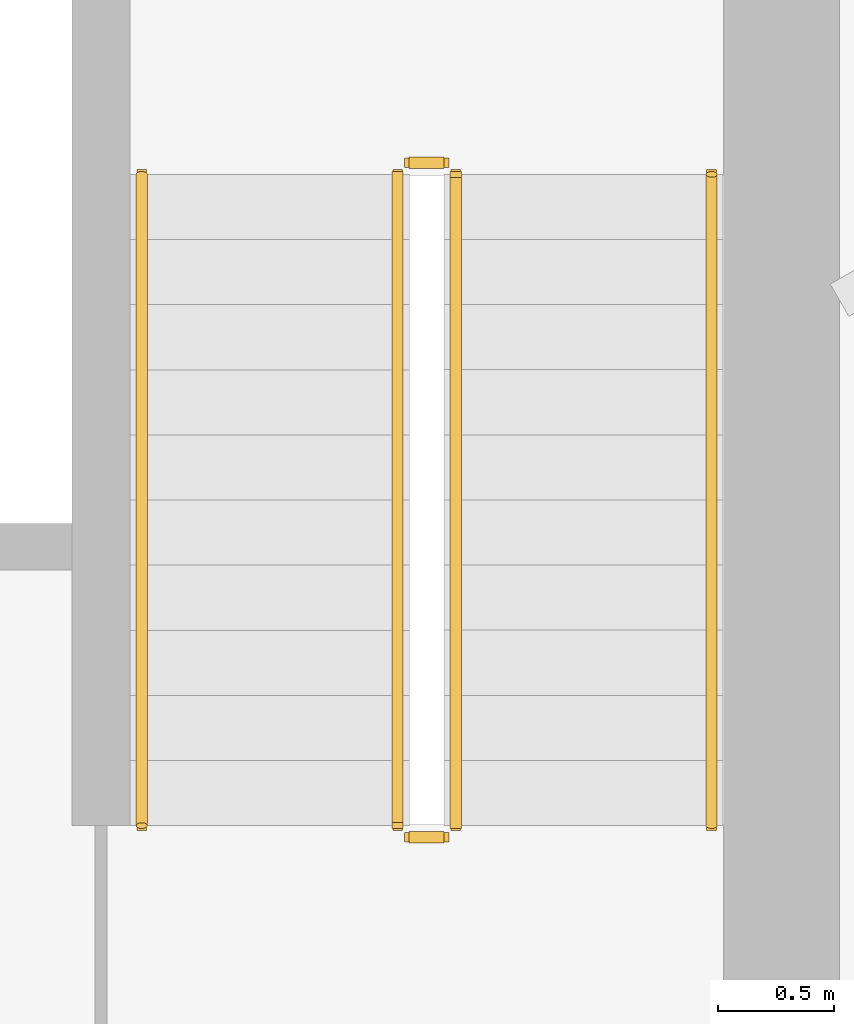
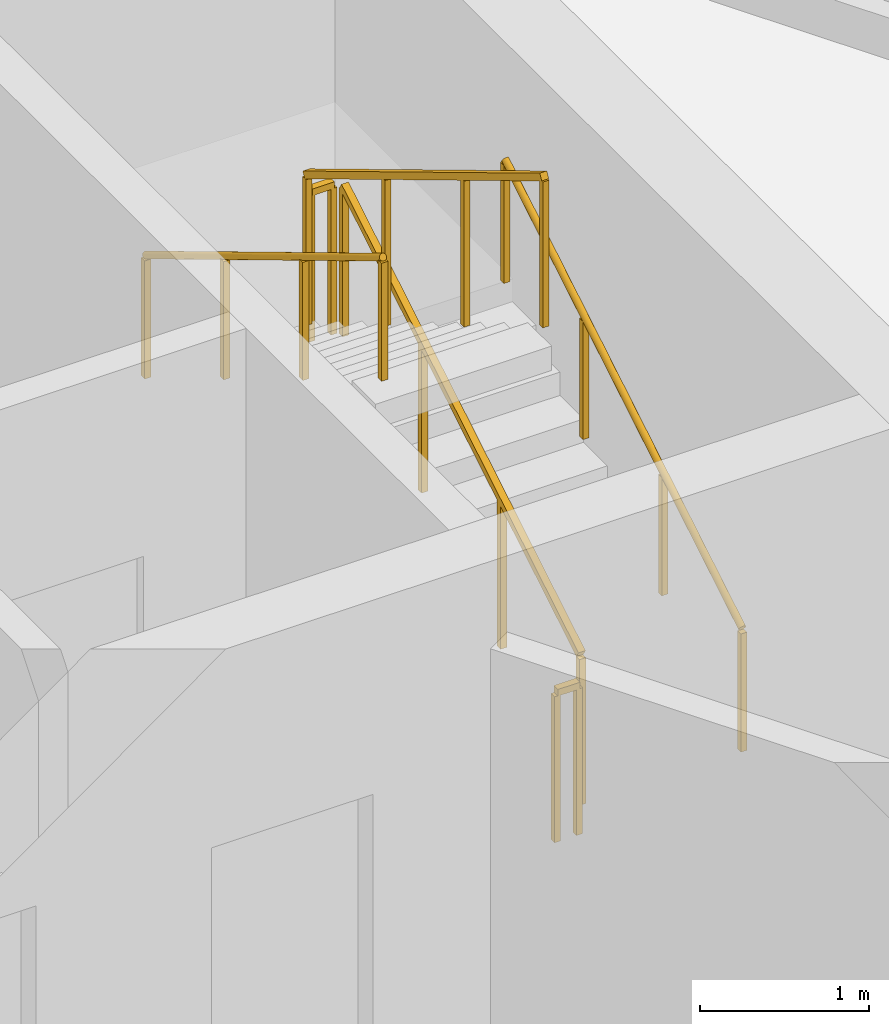
# One storey, part 13 of 13: 6 railings.
"""IFC4 building model written with IfcOpenShell, lengths in metres."""

from ifc_helpers import new_model, si_unit, direction, frame, origin, origin_2d, place, context, subcontext, project, spatial, rectangle, circle, extrude, material, type_object, element, save


model = new_model("IFC4")

# Units and contexts
model_context = context("Model", 3, precision=1e-05, world=origin(), true_north=direction((0.0, 1.0)))
body_context = subcontext(model_context, "Body", "Model", "MODEL_VIEW")
ifc_project = project(units=[si_unit("LENGTHUNIT", "METRE"), si_unit("AREAUNIT", "SQUARE_METRE"), si_unit("VOLUMEUNIT", "CUBIC_METRE"), si_unit("PLANEANGLEUNIT", "RADIAN"), si_unit("MASSUNIT", "GRAM", prefix="KILO")], contexts=[model_context])

# Site, building, storey
site_placement = place(None, origin())
site = spatial("IfcSite", under=ifc_project, at=site_placement, CompositionType="ELEMENT")
building_placement = place(site_placement, origin())
building = spatial("IfcBuilding", under=site, at=building_placement, Name="Apuvela Tower Hotel", CompositionType="ELEMENT")
storey_placement = place(building_placement, frame((0.0, 0.0, 65.0)))
storey = spatial("IfcBuildingStorey", under=building, at=storey_placement, Name="L13", CompositionType="ELEMENT", Elevation=65.0)

# Railings
ifc_material_1 = material(Name="Steel S275 balustrade", Category="steel")
railing_type_1 = type_object("IfcRailingType", Name="COR-GUARD-1100", PredefinedType="GUARDRAIL", material=ifc_material_1)
railing_1_placement = place(storey_placement, frame((3.85009765625, 14.60009765625, 0.168212890625)))
element("IfcRailing", 1, at=railing_1_placement, inside=storey, type_object=railing_type_1, Name="L13 ST1 stair guard 1", PredefinedType="GUARDRAIL", context=body_context, shape_type="SweptSolid", body=[
    extrude(rectangle(XDim=0.048095703125, YDim=0.048095703125, at=origin_2d()), frame((0.0, 0.0, 1.076171875), z_axis=(0.0, 0.857222391501, 0.514946377315), x_axis=(-1.0, 0.0, 0.0)), (0.0, 0.0, 1.0), 3.26611328125),
    extrude(rectangle(XDim=0.0419921875, YDim=0.0419921875, at=origin_2d()), origin(), (0.0, 0.0, 1.0), 1.052001953125),
    extrude(rectangle(XDim=0.0419921875, YDim=0.0419921875, at=origin_2d()), frame((0.0, 0.933349609375, 0.560546875)), (0.0, 0.0, 1.0), 1.052001953125),
    extrude(rectangle(XDim=0.0419921875, YDim=0.0419921875, at=origin_2d()), frame((0.0, 1.866455078125, 1.121337890625)), (0.0, 0.0, 1.0), 1.052001953125),
    extrude(rectangle(XDim=0.0419921875, YDim=0.0419921875, at=origin_2d()), frame((0.0, 2.7998046875, 1.681884765625)), (0.0, 0.0, 1.0), 1.052001953125),
])
railing_2_placement = place(storey_placement, frame((3.800048828125, 17.449951171875, 1.85009765625)))
element("IfcRailing", 2, at=railing_2_placement, inside=storey, type_object=railing_type_1, Name="L13 ST1 stair guard 2", PredefinedType="GUARDRAIL", context=body_context, shape_type="SweptSolid", body=[
    extrude(rectangle(XDim=0.048095703125, YDim=0.048095703125, at=origin_2d()), frame((0.0, 0.0, 1.076171875), z_axis=(-1.0, 0.0, 0.0), x_axis=(0.0, -1.0, 0.0)), (0.0, 0.0, 1.0), 0.150146484375),
    extrude(rectangle(XDim=0.0419921875, YDim=0.0419921875, at=origin_2d()), origin(), (0.0, 0.0, 1.0), 1.052001953125),
    extrude(rectangle(XDim=0.0419921875, YDim=0.0419921875, at=origin_2d()), frame((-0.150146484375, 0.0, 0.0)), (0.0, 0.0, 1.0), 1.052001953125),
])
railing_3_placement = place(storey_placement, frame((3.60009765625, 17.39990234375, 2.01806640625)))
element("IfcRailing", 3, at=railing_3_placement, inside=storey, type_object=railing_type_1, Name="L13 ST1 stair guard 3", PredefinedType="GUARDRAIL", context=body_context, shape_type="SweptSolid", body=[
    extrude(rectangle(XDim=0.048095703125, YDim=0.048095703125, at=origin_2d()), frame((0.0, 0.0, 1.076171875), z_axis=(0.0, -0.857222391501, 0.514946377315), x_axis=(1.0, 0.0, 0.0)), (0.0, 0.0, 1.0), 3.26611328125),
    extrude(rectangle(XDim=0.0419921875, YDim=0.0419921875, at=origin_2d()), origin(), (0.0, 0.0, 1.0), 1.052001953125),
    extrude(rectangle(XDim=0.0419921875, YDim=0.0419921875, at=origin_2d()), frame((0.0, -0.933349609375, 0.560546875)), (0.0, 0.0, 1.0), 1.052001953125),
    extrude(rectangle(XDim=0.0419921875, YDim=0.0419921875, at=origin_2d()), frame((0.0, -1.866455078125, 1.121337890625)), (0.0, 0.0, 1.0), 1.052001953125),
    extrude(rectangle(XDim=0.0419921875, YDim=0.0419921875, at=origin_2d()), frame((0.0, -2.7998046875, 1.681884765625)), (0.0, 0.0, 1.0), 1.052001953125),
])
railing_4_placement = place(storey_placement, frame((3.800048828125, 14.550048828125, 0.0)))
element("IfcRailing", 4, at=railing_4_placement, inside=storey, type_object=railing_type_1, Name="L13 ST1 stair guard 4", PredefinedType="GUARDRAIL", context=body_context, shape_type="SweptSolid", body=[
    extrude(rectangle(XDim=0.048095703125, YDim=0.048095703125, at=origin_2d()), frame((0.0, 0.0, 1.076171875), z_axis=(-1.0, 0.0, 0.0), x_axis=(0.0, -1.0, 0.0)), (0.0, 0.0, 1.0), 0.150146484375),
    extrude(rectangle(XDim=0.0419921875, YDim=0.0419921875, at=origin_2d()), origin(), (0.0, 0.0, 1.0), 1.052001953125),
    extrude(rectangle(XDim=0.0419921875, YDim=0.0419921875, at=origin_2d()), frame((-0.150146484375, 0.0, 0.0)), (0.0, 0.0, 1.0), 1.052001953125),
])
ifc_material_2 = material(Name="Stainless steel 316 handrail", Category="steel")
railing_type_2 = type_object("IfcRailingType", Name="COR-HANDRAIL-900", PredefinedType="HANDRAIL", material=ifc_material_2)
railing_5_placement = place(storey_placement, frame((4.949951171875, 14.60009765625, 0.168212890625)))
element("IfcRailing", 5, at=railing_5_placement, inside=storey, type_object=railing_type_2, Name="L13 ST1 stair handrail 1", PredefinedType="HANDRAIL", context=body_context, shape_type="SweptSolid", body=[
    extrude(circle(Radius=0.02392578125, at=origin_2d()), frame((0.0, 0.0, 0.8759765625), z_axis=(0.0, 0.857222391501, 0.514946377315), x_axis=(-1.0, 0.0, 0.0)), (0.0, 0.0, 1.0), 3.26611328125),
    extrude(rectangle(XDim=0.0419921875, YDim=0.0419921875, at=origin_2d()), origin(), (0.0, 0.0, 1.0), 0.851806640625),
    extrude(rectangle(XDim=0.0419921875, YDim=0.0419921875, at=origin_2d()), frame((0.0, 0.933349609375, 0.560546875)), (0.0, 0.0, 1.0), 0.851806640625),
    extrude(rectangle(XDim=0.0419921875, YDim=0.0419921875, at=origin_2d()), frame((0.0, 1.866455078125, 1.121337890625)), (0.0, 0.0, 1.0), 0.851806640625),
    extrude(rectangle(XDim=0.0419921875, YDim=0.0419921875, at=origin_2d()), frame((0.0, 2.7998046875, 1.681884765625)), (0.0, 0.0, 1.0), 0.851806640625),
])
railing_6_placement = place(storey_placement, frame((2.5, 17.39990234375, 2.01806640625)))
element("IfcRailing", 6, at=railing_6_placement, inside=storey, type_object=railing_type_2, Name="L13 ST1 stair handrail 2", PredefinedType="HANDRAIL", context=body_context, shape_type="SweptSolid", body=[
    extrude(circle(Radius=0.02392578125, at=origin_2d()), frame((0.0, 0.0, 0.8759765625), z_axis=(0.0, -0.857222391501, 0.514946377315), x_axis=(1.0, 0.0, 0.0)), (0.0, 0.0, 1.0), 3.26611328125),
    extrude(rectangle(XDim=0.0419921875, YDim=0.0419921875, at=origin_2d()), origin(), (0.0, 0.0, 1.0), 0.851806640625),
    extrude(rectangle(XDim=0.0419921875, YDim=0.0419921875, at=origin_2d()), frame((0.0, -0.933349609375, 0.560546875)), (0.0, 0.0, 1.0), 0.851806640625),
    extrude(rectangle(XDim=0.0419921875, YDim=0.0419921875, at=origin_2d()), frame((0.0, -1.866455078125, 1.121337890625)), (0.0, 0.0, 1.0), 0.851806640625),
    extrude(rectangle(XDim=0.0419921875, YDim=0.0419921875, at=origin_2d()), frame((0.0, -2.7998046875, 1.681884765625)), (0.0, 0.0, 1.0), 0.851806640625),
])

save(model, "model.ifc")
